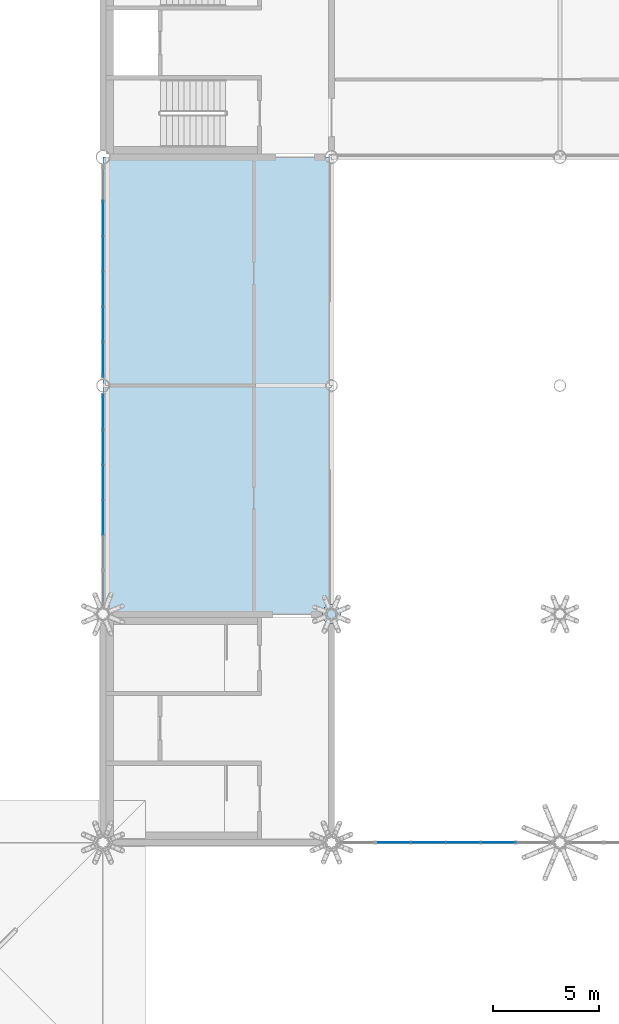
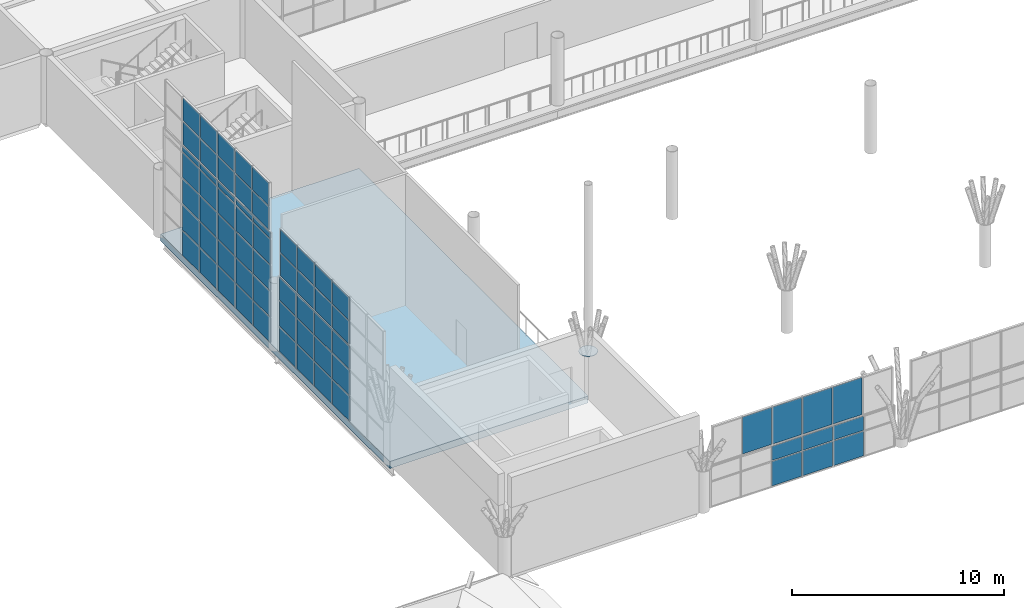
# One storey, part 47 of 95: 66 plates, 1 slab, 6 elements without a shape of their own.
"""IFC4 building model written with IfcOpenShell, lengths in metres."""

from ifc_helpers import new_model, si_unit, direction, frame, origin, origin_2d, place, context, subcontext, project, spatial, polyline, rectangle, circle, outline, extrude, material, layer, layer_set, material_profile, profile_set, type_object, element, aggregate, save


model = new_model("IFC4")

# Units and contexts
model_context = context("Model", 3, precision=1e-05, world=origin(), true_north=direction((0.0, 1.0)))
body_context = subcontext(model_context, "Body", "Model", "MODEL_VIEW")
ifc_project = project(units=[si_unit("LENGTHUNIT", "METRE"), si_unit("AREAUNIT", "SQUARE_METRE"), si_unit("VOLUMEUNIT", "CUBIC_METRE"), si_unit("PLANEANGLEUNIT", "RADIAN"), si_unit("MASSUNIT", "GRAM", prefix="KILO")], contexts=[model_context])

# Site, building, storey
site_placement = place(None, origin())
site = spatial("IfcSite", under=ifc_project, at=site_placement, CompositionType="ELEMENT")
building_placement = place(site_placement, origin())
building = spatial("IfcBuilding", under=site, at=building_placement, Name="Magnolia Steps Interchange", CompositionType="ELEMENT")
storey_placement = place(building_placement, frame((0.0, 0.0, 4.800048828125)))
storey = spatial("IfcBuildingStorey", under=building, at=storey_placement, Name="L01", CompositionType="ELEMENT", Elevation=4.800048828125)

# Slab
ifc_material_1 = material(Name="Concrete C40", Category="concrete")
ifc_layer_1 = layer(ifc_material_1, 0.39990234375)
ifc_layer_set_1 = layer_set([ifc_layer_1], Name="Floor slab 400")
slab_type = type_object("IfcSlabType", Name="Floor slab 400", PredefinedType="FLOOR", material=ifc_layer_set_1)
slab_placement = place(storey_placement, frame((0.0, 0.0, -0.400146484375)))
element("IfcSlab", 1, at=slab_placement, inside=storey, type_object=slab_type, Name="Hall gallery floor", PredefinedType="FLOOR", context=body_context, shape_type="SweptSolid", body=[
    extrude(outline(polyline([(53.199951171875, 53.199951171875), (64.0, 53.199951171875), (64.0, 74.800048828125), (53.199951171875, 74.800048828125), (53.199951171875, 53.199951171875)])), origin(), (0.0, 0.0, 1.0), 0.400146484375),
])

# Curtain wall, plates
ifc_material_2 = material(Name="Powder-coated aluminium and glass", Category="aluminium")
ifc_layer_2 = layer(ifc_material_2, 0.14990234375)
ifc_layer_set_2 = layer_set([ifc_layer_2], Name="Glazed hall curtain wall")
curtain_wall_type_1 = type_object("IfcCurtainWallType", Name="Glazed hall curtain wall", PredefinedType="NOTDEFINED", material=ifc_layer_set_2)
curtain_wall_1_placement = place(storey_placement, origin())
curtain_wall_1 = element("IfcCurtainWall", 2, at=curtain_wall_1_placement, inside=storey, type_object=curtain_wall_type_1, Name="Hall glazing S2 L01", PredefinedType="NOTDEFINED")
ifc_material_3 = material(Name="Laminated glass", Category="glass")
ifc_layer_3 = layer(ifc_material_3, 0.028076171875)
ifc_layer_set_3 = layer_set([ifc_layer_3], Name="Glass panel 28")
plate_type_1 = type_object("IfcPlateType", Name="Glass panel 28", PredefinedType="CURTAIN_PANEL", material=ifc_layer_set_3)
plate_1_placement = place(storey_placement, frame((68.56005859375, 42.39990234375, 0.06005859375), z_axis=(0.0, 0.0, 1.0), x_axis=(1.0, 0.0, 0.0)))
plate_1 = element("IfcPlate", 3, at=plate_1_placement, type_object=plate_type_1, Name="CW1 panel 3.1", PredefinedType="CURTAIN_PANEL", context=body_context, shape_type="SweptSolid", body=[
    extrude(rectangle(XDim=1.6201171875, YDim=0.028076171875, at=origin_2d()), origin(), (0.0, 0.0, 1.0), 1.409912109375),
])
plate_2_placement = place(storey_placement, frame((68.56005859375, 42.39990234375, 1.530029296875), z_axis=(0.0, 0.0, 1.0), x_axis=(1.0, 0.0, 0.0)))
plate_2 = element("IfcPlate", 4, at=plate_2_placement, type_object=plate_type_1, Name="CW1 panel 3.2", PredefinedType="CURTAIN_PANEL", context=body_context, shape_type="SweptSolid", body=[
    extrude(rectangle(XDim=1.6201171875, YDim=0.028076171875, at=origin_2d()), origin(), (0.0, 0.0, 1.0), 0.81005859375),
])
plate_3_placement = place(storey_placement, frame((70.239990234375, 42.39990234375, 0.06005859375), z_axis=(0.0, 0.0, 1.0), x_axis=(1.0, 0.0, 0.0)))
plate_3 = element("IfcPlate", 5, at=plate_3_placement, type_object=plate_type_1, Name="CW1 panel 4.1", PredefinedType="CURTAIN_PANEL", context=body_context, shape_type="SweptSolid", body=[
    extrude(rectangle(XDim=1.6201171875, YDim=0.028076171875, at=origin_2d()), origin(), (0.0, 0.0, 1.0), 1.409912109375),
])
plate_4_placement = place(storey_placement, frame((70.239990234375, 42.39990234375, 1.530029296875), z_axis=(0.0, 0.0, 1.0), x_axis=(1.0, 0.0, 0.0)))
plate_4 = element("IfcPlate", 6, at=plate_4_placement, type_object=plate_type_1, Name="CW1 panel 4.2", PredefinedType="CURTAIN_PANEL", context=body_context, shape_type="SweptSolid", body=[
    extrude(rectangle(XDim=1.6201171875, YDim=0.028076171875, at=origin_2d()), origin(), (0.0, 0.0, 1.0), 0.81005859375),
])
plate_5_placement = place(storey_placement, frame((71.919921875, 42.39990234375, 0.06005859375), z_axis=(0.0, 0.0, 1.0), x_axis=(1.0, 0.0, 0.0)))
plate_5 = element("IfcPlate", 7, at=plate_5_placement, type_object=plate_type_1, Name="CW1 panel 5.1", PredefinedType="CURTAIN_PANEL", context=body_context, shape_type="SweptSolid", body=[
    extrude(rectangle(XDim=1.6201171875, YDim=0.028076171875, at=origin_2d()), origin(), (0.0, 0.0, 1.0), 1.409912109375),
])
plate_6_placement = place(storey_placement, frame((71.919921875, 42.39990234375, 1.530029296875), z_axis=(0.0, 0.0, 1.0), x_axis=(1.0, 0.0, 0.0)))
plate_6 = element("IfcPlate", 8, at=plate_6_placement, type_object=plate_type_1, Name="CW1 panel 5.2", PredefinedType="CURTAIN_PANEL", context=body_context, shape_type="SweptSolid", body=[
    extrude(rectangle(XDim=1.6201171875, YDim=0.028076171875, at=origin_2d()), origin(), (0.0, 0.0, 1.0), 0.81005859375),
])
aggregate(curtain_wall_1, [plate_1, plate_2, plate_3, plate_4, plate_5, plate_6])

ifc_material_4 = material(Name="Powder-coated aluminium and glass", Category="aluminium")
ifc_layer_4 = layer(ifc_material_4, 0.1201171875)
ifc_layer_set_4 = layer_set([ifc_layer_4], Name="Hall clerestory curtain wall")
curtain_wall_type_2 = type_object("IfcCurtainWallType", Name="Hall clerestory curtain wall", PredefinedType="NOTDEFINED", material=ifc_layer_set_4)
curtain_wall_2_placement = place(storey_placement, origin())
curtain_wall_2 = element("IfcCurtainWall", 9, at=curtain_wall_2_placement, inside=storey, type_object=curtain_wall_type_2, Name="Hall clerestory S2", PredefinedType="NOTDEFINED")
plate_7_placement = place(storey_placement, frame((66.93994140625, 42.39990234375, 2.4599609375), z_axis=(0.0, 0.0, 1.0), x_axis=(1.0, 0.0, 0.0)))
plate_7 = element("IfcPlate", 10, at=plate_7_placement, type_object=plate_type_1, Name="CW6 panel 2.1", PredefinedType="CURTAIN_PANEL", context=body_context, shape_type="SweptSolid", body=[
    extrude(rectangle(XDim=1.580078125, YDim=0.028076171875, at=origin_2d()), origin(), (0.0, 0.0, 1.0), 2.12890625),
])
plate_8_placement = place(storey_placement, frame((68.580078125, 42.39990234375, 2.4599609375), z_axis=(0.0, 0.0, 1.0), x_axis=(1.0, 0.0, 0.0)))
plate_8 = element("IfcPlate", 11, at=plate_8_placement, type_object=plate_type_1, Name="CW6 panel 3.1", PredefinedType="CURTAIN_PANEL", context=body_context, shape_type="SweptSolid", body=[
    extrude(rectangle(XDim=1.580078125, YDim=0.028076171875, at=origin_2d()), origin(), (0.0, 0.0, 1.0), 2.12890625),
])
plate_9_placement = place(storey_placement, frame((70.219970703125, 42.39990234375, 2.4599609375), z_axis=(0.0, 0.0, 1.0), x_axis=(1.0, 0.0, 0.0)))
plate_9 = element("IfcPlate", 12, at=plate_9_placement, type_object=plate_type_1, Name="CW6 panel 4.1", PredefinedType="CURTAIN_PANEL", context=body_context, shape_type="SweptSolid", body=[
    extrude(rectangle(XDim=1.580078125, YDim=0.028076171875, at=origin_2d()), origin(), (0.0, 0.0, 1.0), 2.12890625),
])
plate_10_placement = place(storey_placement, frame((71.860107421875, 42.39990234375, 2.4599609375), z_axis=(0.0, 0.0, 1.0), x_axis=(1.0, 0.0, 0.0)))
plate_10 = element("IfcPlate", 13, at=plate_10_placement, type_object=plate_type_1, Name="CW6 panel 5.1", PredefinedType="CURTAIN_PANEL", context=body_context, shape_type="SweptSolid", body=[
    extrude(rectangle(XDim=1.580078125, YDim=0.028076171875, at=origin_2d()), origin(), (0.0, 0.0, 1.0), 2.12890625),
])
aggregate(curtain_wall_2, [plate_7, plate_8, plate_9, plate_10])

curtain_wall_3_placement = place(storey_placement, origin())
curtain_wall_3 = element("IfcCurtainWall", 14, at=curtain_wall_3_placement, inside=storey, type_object=curtain_wall_type_1, Name="Hall glazing W2 L01", PredefinedType="NOTDEFINED")
plate_11_placement = place(storey_placement, frame((53.199951171875, 57.760009765625, 0.06005859375), z_axis=(0.0, 0.0, 1.0), x_axis=(0.0, 1.0, 0.0)))
plate_11 = element("IfcPlate", 15, at=plate_11_placement, type_object=plate_type_1, Name="CW1 panel 3.1", PredefinedType="CURTAIN_PANEL", context=body_context, shape_type="SweptSolid", body=[
    extrude(rectangle(XDim=1.6201171875, YDim=0.028076171875, at=origin_2d()), origin(), (0.0, 0.0, 1.0), 1.409912109375),
])
plate_12_placement = place(storey_placement, frame((53.199951171875, 57.760009765625, 1.530029296875), z_axis=(0.0, 0.0, 1.0), x_axis=(0.0, 1.0, 0.0)))
plate_12 = element("IfcPlate", 16, at=plate_12_placement, type_object=plate_type_1, Name="CW1 panel 3.2", PredefinedType="CURTAIN_PANEL", context=body_context, shape_type="SweptSolid", body=[
    extrude(rectangle(XDim=1.6201171875, YDim=0.028076171875, at=origin_2d()), origin(), (0.0, 0.0, 1.0), 1.43994140625),
])
plate_13_placement = place(storey_placement, frame((53.199951171875, 57.760009765625, 3.030029296875), z_axis=(0.0, 0.0, 1.0), x_axis=(0.0, 1.0, 0.0)))
plate_13 = element("IfcPlate", 17, at=plate_13_placement, type_object=plate_type_1, Name="CW1 panel 3.3", PredefinedType="CURTAIN_PANEL", context=body_context, shape_type="SweptSolid", body=[
    extrude(rectangle(XDim=1.6201171875, YDim=0.028076171875, at=origin_2d()), origin(), (0.0, 0.0, 1.0), 1.31005859375),
])
plate_14_placement = place(storey_placement, frame((53.199951171875, 59.43994140625, 0.06005859375), z_axis=(0.0, 0.0, 1.0), x_axis=(0.0, 1.0, 0.0)))
plate_14 = element("IfcPlate", 18, at=plate_14_placement, type_object=plate_type_1, Name="CW1 panel 4.1", PredefinedType="CURTAIN_PANEL", context=body_context, shape_type="SweptSolid", body=[
    extrude(rectangle(XDim=1.6201171875, YDim=0.028076171875, at=origin_2d()), origin(), (0.0, 0.0, 1.0), 1.409912109375),
])
plate_15_placement = place(storey_placement, frame((53.199951171875, 59.43994140625, 1.530029296875), z_axis=(0.0, 0.0, 1.0), x_axis=(0.0, 1.0, 0.0)))
plate_15 = element("IfcPlate", 19, at=plate_15_placement, type_object=plate_type_1, Name="CW1 panel 4.2", PredefinedType="CURTAIN_PANEL", context=body_context, shape_type="SweptSolid", body=[
    extrude(rectangle(XDim=1.6201171875, YDim=0.028076171875, at=origin_2d()), origin(), (0.0, 0.0, 1.0), 1.43994140625),
])
plate_16_placement = place(storey_placement, frame((53.199951171875, 59.43994140625, 3.030029296875), z_axis=(0.0, 0.0, 1.0), x_axis=(0.0, 1.0, 0.0)))
plate_16 = element("IfcPlate", 20, at=plate_16_placement, type_object=plate_type_1, Name="CW1 panel 4.3", PredefinedType="CURTAIN_PANEL", context=body_context, shape_type="SweptSolid", body=[
    extrude(rectangle(XDim=1.6201171875, YDim=0.028076171875, at=origin_2d()), origin(), (0.0, 0.0, 1.0), 1.31005859375),
])
plate_17_placement = place(storey_placement, frame((53.199951171875, 61.1201171875, 0.06005859375), z_axis=(0.0, 0.0, 1.0), x_axis=(0.0, 1.0, 0.0)))
plate_17 = element("IfcPlate", 21, at=plate_17_placement, type_object=plate_type_1, Name="CW1 panel 5.1", PredefinedType="CURTAIN_PANEL", context=body_context, shape_type="SweptSolid", body=[
    extrude(rectangle(XDim=1.6201171875, YDim=0.028076171875, at=origin_2d()), origin(), (0.0, 0.0, 1.0), 1.409912109375),
])
plate_18_placement = place(storey_placement, frame((53.199951171875, 61.1201171875, 1.530029296875), z_axis=(0.0, 0.0, 1.0), x_axis=(0.0, 1.0, 0.0)))
plate_18 = element("IfcPlate", 22, at=plate_18_placement, type_object=plate_type_1, Name="CW1 panel 5.2", PredefinedType="CURTAIN_PANEL", context=body_context, shape_type="SweptSolid", body=[
    extrude(rectangle(XDim=1.6201171875, YDim=0.028076171875, at=origin_2d()), origin(), (0.0, 0.0, 1.0), 1.43994140625),
])
plate_19_placement = place(storey_placement, frame((53.199951171875, 61.1201171875, 3.030029296875), z_axis=(0.0, 0.0, 1.0), x_axis=(0.0, 1.0, 0.0)))
plate_19 = element("IfcPlate", 23, at=plate_19_placement, type_object=plate_type_1, Name="CW1 panel 5.3", PredefinedType="CURTAIN_PANEL", context=body_context, shape_type="SweptSolid", body=[
    extrude(rectangle(XDim=1.6201171875, YDim=0.028076171875, at=origin_2d()), origin(), (0.0, 0.0, 1.0), 1.31005859375),
])
plate_20_placement = place(storey_placement, frame((53.199951171875, 62.784912109375, 0.06005859375), z_axis=(0.0, 0.0, 1.0), x_axis=(0.0, 1.0, 0.0)))
plate_20 = element("IfcPlate", 24, at=plate_20_placement, type_object=plate_type_1, Name="CW1 panel 6.1", PredefinedType="CURTAIN_PANEL", context=body_context, shape_type="SweptSolid", body=[
    extrude(rectangle(XDim=1.590087890625, YDim=0.028076171875, at=origin_2d()), origin(), (0.0, 0.0, 1.0), 1.409912109375),
])
plate_21_placement = place(storey_placement, frame((53.199951171875, 62.784912109375, 1.530029296875), z_axis=(0.0, 0.0, 1.0), x_axis=(0.0, 1.0, 0.0)))
plate_21 = element("IfcPlate", 25, at=plate_21_placement, type_object=plate_type_1, Name="CW1 panel 6.2", PredefinedType="CURTAIN_PANEL", context=body_context, shape_type="SweptSolid", body=[
    extrude(rectangle(XDim=1.590087890625, YDim=0.028076171875, at=origin_2d()), origin(), (0.0, 0.0, 1.0), 1.43994140625),
])
plate_22_placement = place(storey_placement, frame((53.199951171875, 62.784912109375, 3.030029296875), z_axis=(0.0, 0.0, 1.0), x_axis=(0.0, 1.0, 0.0)))
plate_22 = element("IfcPlate", 26, at=plate_22_placement, type_object=plate_type_1, Name="CW1 panel 6.3", PredefinedType="CURTAIN_PANEL", context=body_context, shape_type="SweptSolid", body=[
    extrude(rectangle(XDim=1.590087890625, YDim=0.028076171875, at=origin_2d()), origin(), (0.0, 0.0, 1.0), 1.31005859375),
])
aggregate(curtain_wall_3, [plate_11, plate_12, plate_13, plate_14, plate_15, plate_16, plate_17, plate_18, plate_19, plate_20, plate_21, plate_22])

curtain_wall_4_placement = place(storey_placement, origin())
curtain_wall_4 = element("IfcCurtainWall", 27, at=curtain_wall_4_placement, inside=storey, type_object=curtain_wall_type_2, Name="Hall clerestory W2", PredefinedType="NOTDEFINED")
plate_23_placement = place(storey_placement, frame((53.199951171875, 57.780029296875, 4.4599609375), z_axis=(0.0, 0.0, 1.0), x_axis=(0.0, 1.0, 0.0)))
plate_23 = element("IfcPlate", 28, at=plate_23_placement, type_object=plate_type_1, Name="CW6 panel 3.1", PredefinedType="CURTAIN_PANEL", context=body_context, shape_type="SweptSolid", body=[
    extrude(rectangle(XDim=1.580078125, YDim=0.028076171875, at=origin_2d()), origin(), (0.0, 0.0, 1.0), 1.31005859375),
])
plate_24_placement = place(storey_placement, frame((53.199951171875, 57.780029296875, 5.829833984375), z_axis=(0.0, 0.0, 1.0), x_axis=(0.0, 1.0, 0.0)))
plate_24 = element("IfcPlate", 29, at=plate_24_placement, type_object=plate_type_1, Name="CW6 panel 3.2", PredefinedType="CURTAIN_PANEL", context=body_context, shape_type="SweptSolid", body=[
    extrude(rectangle(XDim=1.580078125, YDim=0.028076171875, at=origin_2d()), origin(), (0.0, 0.0, 1.0), 1.31005859375),
])
plate_25_placement = place(storey_placement, frame((53.199951171875, 59.419921875, 4.4599609375), z_axis=(0.0, 0.0, 1.0), x_axis=(0.0, 1.0, 0.0)))
plate_25 = element("IfcPlate", 30, at=plate_25_placement, type_object=plate_type_1, Name="CW6 panel 4.1", PredefinedType="CURTAIN_PANEL", context=body_context, shape_type="SweptSolid", body=[
    extrude(rectangle(XDim=1.580078125, YDim=0.028076171875, at=origin_2d()), origin(), (0.0, 0.0, 1.0), 1.31005859375),
])
plate_26_placement = place(storey_placement, frame((53.199951171875, 59.419921875, 5.829833984375), z_axis=(0.0, 0.0, 1.0), x_axis=(0.0, 1.0, 0.0)))
plate_26 = element("IfcPlate", 31, at=plate_26_placement, type_object=plate_type_1, Name="CW6 panel 4.2", PredefinedType="CURTAIN_PANEL", context=body_context, shape_type="SweptSolid", body=[
    extrude(rectangle(XDim=1.580078125, YDim=0.028076171875, at=origin_2d()), origin(), (0.0, 0.0, 1.0), 1.31005859375),
])
plate_27_placement = place(storey_placement, frame((53.199951171875, 61.06005859375, 4.4599609375), z_axis=(0.0, 0.0, 1.0), x_axis=(0.0, 1.0, 0.0)))
plate_27 = element("IfcPlate", 32, at=plate_27_placement, type_object=plate_type_1, Name="CW6 panel 5.1", PredefinedType="CURTAIN_PANEL", context=body_context, shape_type="SweptSolid", body=[
    extrude(rectangle(XDim=1.580078125, YDim=0.028076171875, at=origin_2d()), origin(), (0.0, 0.0, 1.0), 1.31005859375),
])
plate_28_placement = place(storey_placement, frame((53.199951171875, 61.06005859375, 5.829833984375), z_axis=(0.0, 0.0, 1.0), x_axis=(0.0, 1.0, 0.0)))
plate_28 = element("IfcPlate", 33, at=plate_28_placement, type_object=plate_type_1, Name="CW6 panel 5.2", PredefinedType="CURTAIN_PANEL", context=body_context, shape_type="SweptSolid", body=[
    extrude(rectangle(XDim=1.580078125, YDim=0.028076171875, at=origin_2d()), origin(), (0.0, 0.0, 1.0), 1.31005859375),
])
plate_29_placement = place(storey_placement, frame((53.199951171875, 62.68505859375, 4.4599609375), z_axis=(0.0, 0.0, 1.0), x_axis=(0.0, 1.0, 0.0)))
plate_29 = element("IfcPlate", 34, at=plate_29_placement, type_object=plate_type_1, Name="CW6 panel 6.1", PredefinedType="CURTAIN_PANEL", context=body_context, shape_type="SweptSolid", body=[
    extrude(rectangle(XDim=1.550048828125, YDim=0.028076171875, at=origin_2d()), origin(), (0.0, 0.0, 1.0), 1.31005859375),
])
plate_30_placement = place(storey_placement, frame((53.199951171875, 62.68505859375, 5.829833984375), z_axis=(0.0, 0.0, 1.0), x_axis=(0.0, 1.0, 0.0)))
plate_30 = element("IfcPlate", 35, at=plate_30_placement, type_object=plate_type_1, Name="CW6 panel 6.2", PredefinedType="CURTAIN_PANEL", context=body_context, shape_type="SweptSolid", body=[
    extrude(rectangle(XDim=1.550048828125, YDim=0.028076171875, at=origin_2d()), origin(), (0.0, 0.0, 1.0), 1.31005859375),
])
aggregate(curtain_wall_4, [plate_23, plate_24, plate_25, plate_26, plate_27, plate_28, plate_29, plate_30])

curtain_wall_5_placement = place(storey_placement, origin())
curtain_wall_5 = element("IfcCurtainWall", 36, at=curtain_wall_5_placement, inside=storey, type_object=curtain_wall_type_1, Name="Hall glazing W3 L01", PredefinedType="NOTDEFINED")
plate_31_placement = place(storey_placement, frame((53.199951171875, 65.215087890625, 0.06005859375), z_axis=(0.0, 0.0, 1.0), x_axis=(0.0, 1.0, 0.0)))
plate_31 = element("IfcPlate", 37, at=plate_31_placement, type_object=plate_type_1, Name="CW1 panel 1.1", PredefinedType="CURTAIN_PANEL", context=body_context, shape_type="SweptSolid", body=[
    extrude(rectangle(XDim=1.590087890625, YDim=0.028076171875, at=origin_2d()), origin(), (0.0, 0.0, 1.0), 1.409912109375),
])
plate_32_placement = place(storey_placement, frame((53.199951171875, 65.215087890625, 1.530029296875), z_axis=(0.0, 0.0, 1.0), x_axis=(0.0, 1.0, 0.0)))
plate_32 = element("IfcPlate", 38, at=plate_32_placement, type_object=plate_type_1, Name="CW1 panel 1.2", PredefinedType="CURTAIN_PANEL", context=body_context, shape_type="SweptSolid", body=[
    extrude(rectangle(XDim=1.590087890625, YDim=0.028076171875, at=origin_2d()), origin(), (0.0, 0.0, 1.0), 1.43994140625),
])
plate_33_placement = place(storey_placement, frame((53.199951171875, 65.215087890625, 3.030029296875), z_axis=(0.0, 0.0, 1.0), x_axis=(0.0, 1.0, 0.0)))
plate_33 = element("IfcPlate", 39, at=plate_33_placement, type_object=plate_type_1, Name="CW1 panel 1.3", PredefinedType="CURTAIN_PANEL", context=body_context, shape_type="SweptSolid", body=[
    extrude(rectangle(XDim=1.590087890625, YDim=0.028076171875, at=origin_2d()), origin(), (0.0, 0.0, 1.0), 1.43994140625),
])
plate_34_placement = place(storey_placement, frame((53.199951171875, 65.215087890625, 4.530029296875), z_axis=(0.0, 0.0, 1.0), x_axis=(0.0, 1.0, 0.0)))
plate_34 = element("IfcPlate", 40, at=plate_34_placement, type_object=plate_type_1, Name="CW1 panel 1.4", PredefinedType="CURTAIN_PANEL", context=body_context, shape_type="SweptSolid", body=[
    extrude(rectangle(XDim=1.590087890625, YDim=0.028076171875, at=origin_2d()), origin(), (0.0, 0.0, 1.0), 1.43994140625),
])
plate_35_placement = place(storey_placement, frame((53.199951171875, 65.215087890625, 6.030029296875), z_axis=(0.0, 0.0, 1.0), x_axis=(0.0, 1.0, 0.0)))
plate_35 = element("IfcPlate", 41, at=plate_35_placement, type_object=plate_type_1, Name="CW1 panel 1.5", PredefinedType="CURTAIN_PANEL", context=body_context, shape_type="SweptSolid", body=[
    extrude(rectangle(XDim=1.590087890625, YDim=0.028076171875, at=origin_2d()), origin(), (0.0, 0.0, 1.0), 0.31005859375),
])
plate_36_placement = place(storey_placement, frame((53.199951171875, 66.8798828125, 0.06005859375), z_axis=(0.0, 0.0, 1.0), x_axis=(0.0, 1.0, 0.0)))
plate_36 = element("IfcPlate", 42, at=plate_36_placement, type_object=plate_type_1, Name="CW1 panel 2.1", PredefinedType="CURTAIN_PANEL", context=body_context, shape_type="SweptSolid", body=[
    extrude(rectangle(XDim=1.6201171875, YDim=0.028076171875, at=origin_2d()), origin(), (0.0, 0.0, 1.0), 1.409912109375),
])
plate_37_placement = place(storey_placement, frame((53.199951171875, 66.8798828125, 1.530029296875), z_axis=(0.0, 0.0, 1.0), x_axis=(0.0, 1.0, 0.0)))
plate_37 = element("IfcPlate", 43, at=plate_37_placement, type_object=plate_type_1, Name="CW1 panel 2.2", PredefinedType="CURTAIN_PANEL", context=body_context, shape_type="SweptSolid", body=[
    extrude(rectangle(XDim=1.6201171875, YDim=0.028076171875, at=origin_2d()), origin(), (0.0, 0.0, 1.0), 1.43994140625),
])
plate_38_placement = place(storey_placement, frame((53.199951171875, 66.8798828125, 3.030029296875), z_axis=(0.0, 0.0, 1.0), x_axis=(0.0, 1.0, 0.0)))
plate_38 = element("IfcPlate", 44, at=plate_38_placement, type_object=plate_type_1, Name="CW1 panel 2.3", PredefinedType="CURTAIN_PANEL", context=body_context, shape_type="SweptSolid", body=[
    extrude(rectangle(XDim=1.6201171875, YDim=0.028076171875, at=origin_2d()), origin(), (0.0, 0.0, 1.0), 1.43994140625),
])
plate_39_placement = place(storey_placement, frame((53.199951171875, 66.8798828125, 4.530029296875), z_axis=(0.0, 0.0, 1.0), x_axis=(0.0, 1.0, 0.0)))
plate_39 = element("IfcPlate", 45, at=plate_39_placement, type_object=plate_type_1, Name="CW1 panel 2.4", PredefinedType="CURTAIN_PANEL", context=body_context, shape_type="SweptSolid", body=[
    extrude(rectangle(XDim=1.6201171875, YDim=0.028076171875, at=origin_2d()), origin(), (0.0, 0.0, 1.0), 1.43994140625),
])
plate_40_placement = place(storey_placement, frame((53.199951171875, 66.8798828125, 6.030029296875), z_axis=(0.0, 0.0, 1.0), x_axis=(0.0, 1.0, 0.0)))
plate_40 = element("IfcPlate", 46, at=plate_40_placement, type_object=plate_type_1, Name="CW1 panel 2.5", PredefinedType="CURTAIN_PANEL", context=body_context, shape_type="SweptSolid", body=[
    extrude(rectangle(XDim=1.6201171875, YDim=0.028076171875, at=origin_2d()), origin(), (0.0, 0.0, 1.0), 0.31005859375),
])
plate_41_placement = place(storey_placement, frame((53.199951171875, 68.56005859375, 0.06005859375), z_axis=(0.0, 0.0, 1.0), x_axis=(0.0, 1.0, 0.0)))
plate_41 = element("IfcPlate", 47, at=plate_41_placement, type_object=plate_type_1, Name="CW1 panel 3.1", PredefinedType="CURTAIN_PANEL", context=body_context, shape_type="SweptSolid", body=[
    extrude(rectangle(XDim=1.6201171875, YDim=0.028076171875, at=origin_2d()), origin(), (0.0, 0.0, 1.0), 1.409912109375),
])
plate_42_placement = place(storey_placement, frame((53.199951171875, 68.56005859375, 1.530029296875), z_axis=(0.0, 0.0, 1.0), x_axis=(0.0, 1.0, 0.0)))
plate_42 = element("IfcPlate", 48, at=plate_42_placement, type_object=plate_type_1, Name="CW1 panel 3.2", PredefinedType="CURTAIN_PANEL", context=body_context, shape_type="SweptSolid", body=[
    extrude(rectangle(XDim=1.6201171875, YDim=0.028076171875, at=origin_2d()), origin(), (0.0, 0.0, 1.0), 1.43994140625),
])
plate_43_placement = place(storey_placement, frame((53.199951171875, 68.56005859375, 3.030029296875), z_axis=(0.0, 0.0, 1.0), x_axis=(0.0, 1.0, 0.0)))
plate_43 = element("IfcPlate", 49, at=plate_43_placement, type_object=plate_type_1, Name="CW1 panel 3.3", PredefinedType="CURTAIN_PANEL", context=body_context, shape_type="SweptSolid", body=[
    extrude(rectangle(XDim=1.6201171875, YDim=0.028076171875, at=origin_2d()), origin(), (0.0, 0.0, 1.0), 1.43994140625),
])
plate_44_placement = place(storey_placement, frame((53.199951171875, 68.56005859375, 4.530029296875), z_axis=(0.0, 0.0, 1.0), x_axis=(0.0, 1.0, 0.0)))
plate_44 = element("IfcPlate", 50, at=plate_44_placement, type_object=plate_type_1, Name="CW1 panel 3.4", PredefinedType="CURTAIN_PANEL", context=body_context, shape_type="SweptSolid", body=[
    extrude(rectangle(XDim=1.6201171875, YDim=0.028076171875, at=origin_2d()), origin(), (0.0, 0.0, 1.0), 1.43994140625),
])
plate_45_placement = place(storey_placement, frame((53.199951171875, 68.56005859375, 6.030029296875), z_axis=(0.0, 0.0, 1.0), x_axis=(0.0, 1.0, 0.0)))
plate_45 = element("IfcPlate", 51, at=plate_45_placement, type_object=plate_type_1, Name="CW1 panel 3.5", PredefinedType="CURTAIN_PANEL", context=body_context, shape_type="SweptSolid", body=[
    extrude(rectangle(XDim=1.6201171875, YDim=0.028076171875, at=origin_2d()), origin(), (0.0, 0.0, 1.0), 0.31005859375),
])
plate_46_placement = place(storey_placement, frame((53.199951171875, 70.239990234375, 0.06005859375), z_axis=(0.0, 0.0, 1.0), x_axis=(0.0, 1.0, 0.0)))
plate_46 = element("IfcPlate", 52, at=plate_46_placement, type_object=plate_type_1, Name="CW1 panel 4.1", PredefinedType="CURTAIN_PANEL", context=body_context, shape_type="SweptSolid", body=[
    extrude(rectangle(XDim=1.6201171875, YDim=0.028076171875, at=origin_2d()), origin(), (0.0, 0.0, 1.0), 1.409912109375),
])
plate_47_placement = place(storey_placement, frame((53.199951171875, 70.239990234375, 1.530029296875), z_axis=(0.0, 0.0, 1.0), x_axis=(0.0, 1.0, 0.0)))
plate_47 = element("IfcPlate", 53, at=plate_47_placement, type_object=plate_type_1, Name="CW1 panel 4.2", PredefinedType="CURTAIN_PANEL", context=body_context, shape_type="SweptSolid", body=[
    extrude(rectangle(XDim=1.6201171875, YDim=0.028076171875, at=origin_2d()), origin(), (0.0, 0.0, 1.0), 1.43994140625),
])
plate_48_placement = place(storey_placement, frame((53.199951171875, 70.239990234375, 3.030029296875), z_axis=(0.0, 0.0, 1.0), x_axis=(0.0, 1.0, 0.0)))
plate_48 = element("IfcPlate", 54, at=plate_48_placement, type_object=plate_type_1, Name="CW1 panel 4.3", PredefinedType="CURTAIN_PANEL", context=body_context, shape_type="SweptSolid", body=[
    extrude(rectangle(XDim=1.6201171875, YDim=0.028076171875, at=origin_2d()), origin(), (0.0, 0.0, 1.0), 1.43994140625),
])
plate_49_placement = place(storey_placement, frame((53.199951171875, 70.239990234375, 4.530029296875), z_axis=(0.0, 0.0, 1.0), x_axis=(0.0, 1.0, 0.0)))
plate_49 = element("IfcPlate", 55, at=plate_49_placement, type_object=plate_type_1, Name="CW1 panel 4.4", PredefinedType="CURTAIN_PANEL", context=body_context, shape_type="SweptSolid", body=[
    extrude(rectangle(XDim=1.6201171875, YDim=0.028076171875, at=origin_2d()), origin(), (0.0, 0.0, 1.0), 1.43994140625),
])
plate_50_placement = place(storey_placement, frame((53.199951171875, 70.239990234375, 6.030029296875), z_axis=(0.0, 0.0, 1.0), x_axis=(0.0, 1.0, 0.0)))
plate_50 = element("IfcPlate", 56, at=plate_50_placement, type_object=plate_type_1, Name="CW1 panel 4.5", PredefinedType="CURTAIN_PANEL", context=body_context, shape_type="SweptSolid", body=[
    extrude(rectangle(XDim=1.6201171875, YDim=0.028076171875, at=origin_2d()), origin(), (0.0, 0.0, 1.0), 0.31005859375),
])
plate_51_placement = place(storey_placement, frame((53.199951171875, 71.919921875, 0.06005859375), z_axis=(0.0, 0.0, 1.0), x_axis=(0.0, 1.0, 0.0)))
plate_51 = element("IfcPlate", 57, at=plate_51_placement, type_object=plate_type_1, Name="CW1 panel 5.1", PredefinedType="CURTAIN_PANEL", context=body_context, shape_type="SweptSolid", body=[
    extrude(rectangle(XDim=1.6201171875, YDim=0.028076171875, at=origin_2d()), origin(), (0.0, 0.0, 1.0), 1.409912109375),
])
plate_52_placement = place(storey_placement, frame((53.199951171875, 71.919921875, 1.530029296875), z_axis=(0.0, 0.0, 1.0), x_axis=(0.0, 1.0, 0.0)))
plate_52 = element("IfcPlate", 58, at=plate_52_placement, type_object=plate_type_1, Name="CW1 panel 5.2", PredefinedType="CURTAIN_PANEL", context=body_context, shape_type="SweptSolid", body=[
    extrude(rectangle(XDim=1.6201171875, YDim=0.028076171875, at=origin_2d()), origin(), (0.0, 0.0, 1.0), 1.43994140625),
])
plate_53_placement = place(storey_placement, frame((53.199951171875, 71.919921875, 3.030029296875), z_axis=(0.0, 0.0, 1.0), x_axis=(0.0, 1.0, 0.0)))
plate_53 = element("IfcPlate", 59, at=plate_53_placement, type_object=plate_type_1, Name="CW1 panel 5.3", PredefinedType="CURTAIN_PANEL", context=body_context, shape_type="SweptSolid", body=[
    extrude(rectangle(XDim=1.6201171875, YDim=0.028076171875, at=origin_2d()), origin(), (0.0, 0.0, 1.0), 1.43994140625),
])
plate_54_placement = place(storey_placement, frame((53.199951171875, 71.919921875, 4.530029296875), z_axis=(0.0, 0.0, 1.0), x_axis=(0.0, 1.0, 0.0)))
plate_54 = element("IfcPlate", 60, at=plate_54_placement, type_object=plate_type_1, Name="CW1 panel 5.4", PredefinedType="CURTAIN_PANEL", context=body_context, shape_type="SweptSolid", body=[
    extrude(rectangle(XDim=1.6201171875, YDim=0.028076171875, at=origin_2d()), origin(), (0.0, 0.0, 1.0), 1.43994140625),
])
plate_55_placement = place(storey_placement, frame((53.199951171875, 71.919921875, 6.030029296875), z_axis=(0.0, 0.0, 1.0), x_axis=(0.0, 1.0, 0.0)))
plate_55 = element("IfcPlate", 61, at=plate_55_placement, type_object=plate_type_1, Name="CW1 panel 5.5", PredefinedType="CURTAIN_PANEL", context=body_context, shape_type="SweptSolid", body=[
    extrude(rectangle(XDim=1.6201171875, YDim=0.028076171875, at=origin_2d()), origin(), (0.0, 0.0, 1.0), 0.31005859375),
])
aggregate(curtain_wall_5, [plate_31, plate_32, plate_33, plate_34, plate_35, plate_36, plate_37, plate_38, plate_39, plate_40, plate_41, plate_42, plate_43, plate_44, plate_45, plate_46, plate_47, plate_48, plate_49, plate_50, plate_51, plate_52, plate_53, plate_54, plate_55])

curtain_wall_6_placement = place(storey_placement, origin())
curtain_wall_6 = element("IfcCurtainWall", 62, at=curtain_wall_6_placement, inside=storey, type_object=curtain_wall_type_2, Name="Hall clerestory W3", PredefinedType="NOTDEFINED")
plate_56_placement = place(storey_placement, frame((53.199951171875, 65.31494140625, 6.4599609375), z_axis=(0.0, 0.0, 1.0), x_axis=(0.0, 1.0, 0.0)))
plate_56 = element("IfcPlate", 63, at=plate_56_placement, type_object=plate_type_1, Name="CW6 panel 1.1", PredefinedType="CURTAIN_PANEL", context=body_context, shape_type="SweptSolid", body=[
    extrude(rectangle(XDim=1.550048828125, YDim=0.028076171875, at=origin_2d()), origin(), (0.0, 0.0, 1.0), 1.31005859375),
])
plate_57_placement = place(storey_placement, frame((53.199951171875, 65.31494140625, 7.829833984375), z_axis=(0.0, 0.0, 1.0), x_axis=(0.0, 1.0, 0.0)))
plate_57 = element("IfcPlate", 64, at=plate_57_placement, type_object=plate_type_1, Name="CW6 panel 1.2", PredefinedType="CURTAIN_PANEL", context=body_context, shape_type="SweptSolid", body=[
    extrude(rectangle(XDim=1.550048828125, YDim=0.028076171875, at=origin_2d()), origin(), (0.0, 0.0, 1.0), 1.31005859375),
])
plate_58_placement = place(storey_placement, frame((53.199951171875, 66.93994140625, 6.4599609375), z_axis=(0.0, 0.0, 1.0), x_axis=(0.0, 1.0, 0.0)))
plate_58 = element("IfcPlate", 65, at=plate_58_placement, type_object=plate_type_1, Name="CW6 panel 2.1", PredefinedType="CURTAIN_PANEL", context=body_context, shape_type="SweptSolid", body=[
    extrude(rectangle(XDim=1.580078125, YDim=0.028076171875, at=origin_2d()), origin(), (0.0, 0.0, 1.0), 1.31005859375),
])
plate_59_placement = place(storey_placement, frame((53.199951171875, 66.93994140625, 7.829833984375), z_axis=(0.0, 0.0, 1.0), x_axis=(0.0, 1.0, 0.0)))
plate_59 = element("IfcPlate", 66, at=plate_59_placement, type_object=plate_type_1, Name="CW6 panel 2.2", PredefinedType="CURTAIN_PANEL", context=body_context, shape_type="SweptSolid", body=[
    extrude(rectangle(XDim=1.580078125, YDim=0.028076171875, at=origin_2d()), origin(), (0.0, 0.0, 1.0), 1.31005859375),
])
plate_60_placement = place(storey_placement, frame((53.199951171875, 68.580078125, 6.4599609375), z_axis=(0.0, 0.0, 1.0), x_axis=(0.0, 1.0, 0.0)))
plate_60 = element("IfcPlate", 67, at=plate_60_placement, type_object=plate_type_1, Name="CW6 panel 3.1", PredefinedType="CURTAIN_PANEL", context=body_context, shape_type="SweptSolid", body=[
    extrude(rectangle(XDim=1.580078125, YDim=0.028076171875, at=origin_2d()), origin(), (0.0, 0.0, 1.0), 1.31005859375),
])
plate_61_placement = place(storey_placement, frame((53.199951171875, 68.580078125, 7.829833984375), z_axis=(0.0, 0.0, 1.0), x_axis=(0.0, 1.0, 0.0)))
plate_61 = element("IfcPlate", 68, at=plate_61_placement, type_object=plate_type_1, Name="CW6 panel 3.2", PredefinedType="CURTAIN_PANEL", context=body_context, shape_type="SweptSolid", body=[
    extrude(rectangle(XDim=1.580078125, YDim=0.028076171875, at=origin_2d()), origin(), (0.0, 0.0, 1.0), 1.31005859375),
])
plate_62_placement = place(storey_placement, frame((53.199951171875, 70.219970703125, 6.4599609375), z_axis=(0.0, 0.0, 1.0), x_axis=(0.0, 1.0, 0.0)))
plate_62 = element("IfcPlate", 69, at=plate_62_placement, type_object=plate_type_1, Name="CW6 panel 4.1", PredefinedType="CURTAIN_PANEL", context=body_context, shape_type="SweptSolid", body=[
    extrude(rectangle(XDim=1.580078125, YDim=0.028076171875, at=origin_2d()), origin(), (0.0, 0.0, 1.0), 1.31005859375),
])
plate_63_placement = place(storey_placement, frame((53.199951171875, 70.219970703125, 7.829833984375), z_axis=(0.0, 0.0, 1.0), x_axis=(0.0, 1.0, 0.0)))
plate_63 = element("IfcPlate", 70, at=plate_63_placement, type_object=plate_type_1, Name="CW6 panel 4.2", PredefinedType="CURTAIN_PANEL", context=body_context, shape_type="SweptSolid", body=[
    extrude(rectangle(XDim=1.580078125, YDim=0.028076171875, at=origin_2d()), origin(), (0.0, 0.0, 1.0), 1.31005859375),
])
plate_64_placement = place(storey_placement, frame((53.199951171875, 71.860107421875, 6.4599609375), z_axis=(0.0, 0.0, 1.0), x_axis=(0.0, 1.0, 0.0)))
plate_64 = element("IfcPlate", 71, at=plate_64_placement, type_object=plate_type_1, Name="CW6 panel 5.1", PredefinedType="CURTAIN_PANEL", context=body_context, shape_type="SweptSolid", body=[
    extrude(rectangle(XDim=1.580078125, YDim=0.028076171875, at=origin_2d()), origin(), (0.0, 0.0, 1.0), 1.31005859375),
])
plate_65_placement = place(storey_placement, frame((53.199951171875, 71.860107421875, 7.829833984375), z_axis=(0.0, 0.0, 1.0), x_axis=(0.0, 1.0, 0.0)))
plate_65 = element("IfcPlate", 72, at=plate_65_placement, type_object=plate_type_1, Name="CW6 panel 5.2", PredefinedType="CURTAIN_PANEL", context=body_context, shape_type="SweptSolid", body=[
    extrude(rectangle(XDim=1.580078125, YDim=0.028076171875, at=origin_2d()), origin(), (0.0, 0.0, 1.0), 1.31005859375),
])
aggregate(curtain_wall_6, [plate_56, plate_57, plate_58, plate_59, plate_60, plate_61, plate_62, plate_63, plate_64, plate_65])

# Plate
ifc_material_5 = material(Name="Steel Q355B", Category="steel")
ifc_material_profile = material_profile(ifc_material_5, circle(Radius=0.449951171875, at=origin_2d()), Name="Tree head plate 900 x 30")
ifc_profile_set = profile_set([ifc_material_profile], Name="Steel Q355B")
plate_type_2 = type_object("IfcPlateType", Name="Tree head plate 900 x 30", PredefinedType="SHEET", material=ifc_profile_set)
plate_66_placement = place(storey_placement, frame((64.0, 53.199951171875, 2.564453125), z_axis=(0.0, 0.0, 1.0), x_axis=(1.0, 0.0, 0.0)))
element("IfcPlate", 73, at=plate_66_placement, inside=storey, type_object=plate_type_2, Name="Tree head plate TH02B", PredefinedType="SHEET", context=body_context, shape_type="SweptSolid", body=[
    extrude(circle(Radius=0.449951171875, at=origin_2d()), origin(), (0.0, 0.0, 1.0), 0.02978515625),
])

save(model, "model.ifc")
